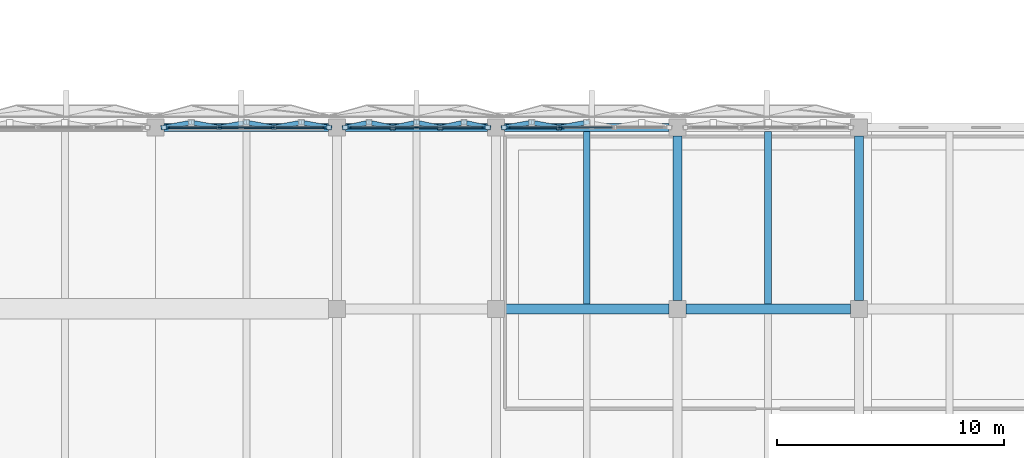
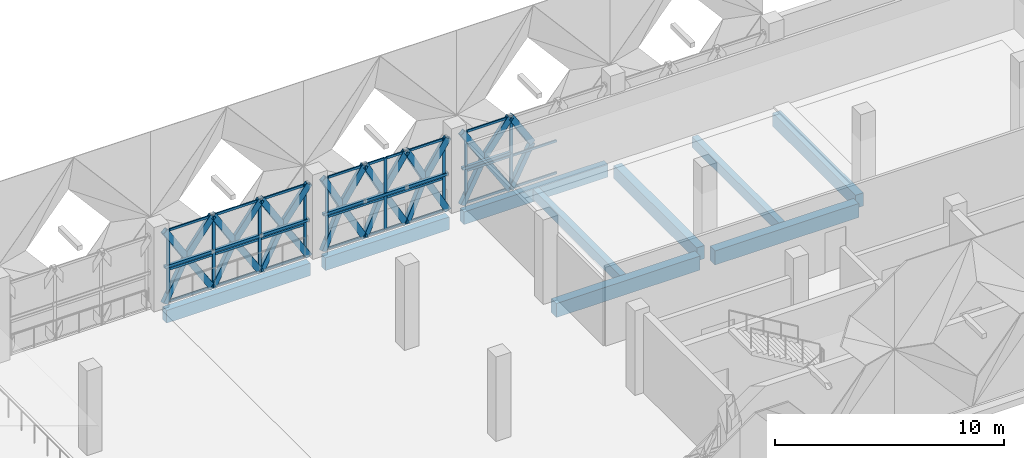
# One storey, part 15 of 53: 66 members, 9 beams, 3 elements without a shape of their own.
"""IFC4 building model written with IfcOpenShell, lengths in metres."""

from ifc_helpers import new_model, si_unit, direction, frame, origin, origin_2d, place, context, subcontext, project, spatial, rectangle, hollow_rectangle, extrude, material, layer, layer_set, material_profile, profile_set, type_object, element, aggregate, save


model = new_model("IFC4")

# Units and contexts
model_context = context("Model", 3, precision=1e-05, world=origin(), true_north=direction((0.0, 1.0)))
body_context = subcontext(model_context, "Body", "Model", "MODEL_VIEW")
ifc_project = project(units=[si_unit("LENGTHUNIT", "METRE"), si_unit("AREAUNIT", "SQUARE_METRE"), si_unit("VOLUMEUNIT", "CUBIC_METRE"), si_unit("PLANEANGLEUNIT", "RADIAN"), si_unit("MASSUNIT", "GRAM", prefix="KILO")], contexts=[model_context])

# Site, building, storey
site_placement = place(None, origin())
site = spatial("IfcSite", under=ifc_project, at=site_placement, CompositionType="ELEMENT")
building_placement = place(site_placement, origin())
building = spatial("IfcBuilding", under=site, at=building_placement, Name="Qorikala Patio Media Centre", CompositionType="ELEMENT")
storey_placement = place(building_placement, frame((0.0, 0.0, 5.39990234375)))
storey = spatial("IfcBuildingStorey", under=building, at=storey_placement, Name="L01", CompositionType="ELEMENT", Elevation=5.39990234375)

# Beams
ifc_material_1 = material(Name="Concrete C35/45", Category="concrete")
ifc_material_profile_1 = material_profile(ifc_material_1, rectangle(XDim=0.39990234375, YDim=0.699951171875, at=origin_2d()), Name="RC 400x700")
ifc_profile_set_1 = profile_set([ifc_material_profile_1], Name="Concrete C35/45")
beam_type_1 = type_object("IfcBeamType", Name="BM-G400X700", PredefinedType="BEAM", material=ifc_profile_set_1)
for number, where, z_axis, x_axis, name in (
    (1, (90.0, 19.375, -0.64990234375), (0.0, 1.0, 0.0), (-1.0, 0.0, 0.0), "L01 Grid X=90 Beam 0634"),
    (2, (98.0, 19.375, -0.64990234375), (0.0, 1.0, 0.0), (-1.0, 0.0, 0.0), "L01 Grid X=98 Beam 0637"),
):
    element("IfcBeam", number, at=place(storey_placement, frame(where, z_axis=z_axis, x_axis=x_axis)), inside=storey, type_object=beam_type_1, Name=name, PredefinedType="BEAM", context=body_context, shape_type="SweptSolid", body=[
        extrude(rectangle(XDim=0.39990234375, YDim=0.699951171875, at=origin_2d()), origin(), (0.0, 0.0, 1.0), 7.25),
    ])
ifc_material_profile_2 = material_profile(ifc_material_1, rectangle(XDim=0.449951171875, YDim=0.75, at=origin_2d()), Name="RC 450x750")
ifc_profile_set_2 = profile_set([ifc_material_profile_2], Name="Concrete C35/45")
beam_type_2 = type_object("IfcBeamType", Name="BM-G450X750", PredefinedType="BEAM", material=ifc_profile_set_2)
for number, where, z_axis, x_axis, name in (
    (3, (82.375, 19.0, -0.6748046875), (1.0, 0.0, 0.0), (0.0, 1.0, 0.0), "L01 Grid 19 Beam 0446"),
    (4, (90.375, 19.0, -0.6748046875), (1.0, 0.0, 0.0), (0.0, 1.0, 0.0), "L01 Grid 19 Beam 0447"),
):
    element("IfcBeam", number, at=place(storey_placement, frame(where, z_axis=z_axis, x_axis=x_axis)), inside=storey, type_object=beam_type_2, Name=name, PredefinedType="BEAM", context=body_context, shape_type="SweptSolid", body=[
        extrude(rectangle(XDim=0.449951171875, YDim=0.75, at=origin_2d()), origin(), (0.0, 0.0, 1.0), 7.25),
    ])

# Members
ifc_material_2 = material(Name="Golden Bronze Coated Steel S355", Category="steel")
ifc_material_profile_3 = material_profile(ifc_material_2, hollow_rectangle(XDim=0.139892578125, YDim=0.139892578125, WallThickness=0.006103515625, at=origin_2d()), Name="HSS140X140X6")
ifc_profile_set_3 = profile_set([ifc_material_profile_3], Name="Golden Bronze Coated Steel S355")
member_type_1 = type_object("IfcMemberType", Name="BRACE-DIA140", PredefinedType="BRACE", material=ifc_profile_set_3)
member_1_placement = place(storey_placement, frame((67.360107421875, 27.0, 1.925048828125), z_axis=(1.0, 0.0, 0.0), x_axis=(0.0, 1.0, 0.0)))
element("IfcMember", 5, at=member_1_placement, inside=storey, type_object=member_type_1, Name="L01 Diamond Fold Tie 007", PredefinedType="BRACE", context=body_context, shape_type="SweptSolid", body=[
    extrude(hollow_rectangle(XDim=0.139892578125, YDim=0.139892578125, WallThickness=0.006103515625, at=origin_2d()), origin(), (0.0, 0.0, 1.0), 2.426513671875),
])
member_2_placement = place(storey_placement, frame((69.78662109375, 27.0, 1.925048828125), z_axis=(1.0, 0.0, 0.0), x_axis=(0.0, 1.0, 0.0)))
element("IfcMember", 6, at=member_2_placement, inside=storey, type_object=member_type_1, Name="L01 Diamond Fold Tie 008", PredefinedType="BRACE", context=body_context, shape_type="SweptSolid", body=[
    extrude(hollow_rectangle(XDim=0.139892578125, YDim=0.139892578125, WallThickness=0.006103515625, at=origin_2d()), origin(), (0.0, 0.0, 1.0), 2.4267578125),
])
member_3_placement = place(storey_placement, frame((72.21337890625, 27.0, 1.925048828125), z_axis=(1.0, 0.0, 0.0), x_axis=(0.0, 1.0, 0.0)))
element("IfcMember", 7, at=member_3_placement, inside=storey, type_object=member_type_1, Name="L01 Diamond Fold Tie 009", PredefinedType="BRACE", context=body_context, shape_type="SweptSolid", body=[
    extrude(hollow_rectangle(XDim=0.139892578125, YDim=0.139892578125, WallThickness=0.006103515625, at=origin_2d()), origin(), (0.0, 0.0, 1.0), 2.426513671875),
])
for number, where, z_axis, x_axis, name in (
    (8, (75.360107421875, 27.0, 1.925048828125), (1.0, 0.0, 0.0), (0.0, 1.0, 0.0), "L01 Diamond Fold Tie 010"),
    (9, (77.453369140625, 27.0, 1.925048828125), (1.0, 0.0, 0.0), (0.0, 1.0, 0.0), "L01 Diamond Fold Tie 011"),
    (10, (79.546630859375, 27.0, 1.925048828125), (1.0, 0.0, 0.0), (0.0, 1.0, 0.0), "L01 Diamond Fold Tie 012"),
):
    element("IfcMember", number, at=place(storey_placement, frame(where, z_axis=z_axis, x_axis=x_axis)), inside=storey, type_object=member_type_1, Name=name, PredefinedType="BRACE", context=body_context, shape_type="SweptSolid", body=[
        extrude(hollow_rectangle(XDim=0.139892578125, YDim=0.139892578125, WallThickness=0.006103515625, at=origin_2d()), origin(), (0.0, 0.0, 1.0), 2.09326171875),
    ])
member_4_placement = place(storey_placement, frame((82.360107421875, 27.0, 1.925048828125), z_axis=(1.0, 0.0, 0.0), x_axis=(0.0, 1.0, 0.0)))
element("IfcMember", 11, at=member_4_placement, inside=storey, type_object=member_type_1, Name="L01 Diamond Fold Tie 013", PredefinedType="BRACE", context=body_context, shape_type="SweptSolid", body=[
    extrude(hollow_rectangle(XDim=0.139892578125, YDim=0.139892578125, WallThickness=0.006103515625, at=origin_2d()), origin(), (0.0, 0.0, 1.0), 2.426513671875),
])

# Curtain wall, members
ifc_material_3 = material(Name="Golden Bronze Anodised Aluminium and Low-E Glass", Category="aluminium")
ifc_layer_1 = layer(ifc_material_3, 0.159912109375)
ifc_layer_set_1 = layer_set([ifc_layer_1], Name="Golden Bronze Anodised Aluminium and Low-E Glass")
curtain_wall_type_1 = type_object("IfcCurtainWallType", Name="CW-DIA-696X385", PredefinedType="USERDEFINED", material=ifc_layer_set_1)
curtain_wall_1_placement = place(storey_placement, origin())
curtain_wall_1 = element("IfcCurtainWall", 12, at=curtain_wall_1_placement, inside=storey, type_object=curtain_wall_type_1, Name="L01 Courtyard Curtain Wall 031", ObjectType="COURTYARD CURTAIN WALL", PredefinedType="USERDEFINED")
ifc_material_4 = material(Name="Golden Bronze Anodised Aluminium", Category="aluminium")
ifc_material_profile_4 = material_profile(ifc_material_4, rectangle(XDim=0.06494140625, YDim=0.14990234375, at=origin_2d()), Name="ALU MULLION 65x150")
ifc_profile_set_4 = profile_set([ifc_material_profile_4], Name="Golden Bronze Anodised Aluminium")
member_type_2 = type_object("IfcMemberType", Name="CWM-65X150", PredefinedType="MULLION", material=ifc_profile_set_4)
member_5_placement = place(storey_placement, frame((67.552490234375, 27.0, 0.0), z_axis=(0.0, 0.0, 1.0), x_axis=(0.0, 1.0, 0.0)))
member_5 = element("IfcMember", 13, at=member_5_placement, type_object=member_type_2, Name="CWD696385 mullion 1", PredefinedType="MULLION", context=body_context, shape_type="SweptSolid", body=[
    extrude(rectangle(XDim=0.06494140625, YDim=0.14990234375, at=origin_2d()), origin(), (0.0, 0.0, 1.0), 3.85009765625),
])
member_6_placement = place(storey_placement, frame((69.840087890625, 27.0, 0.0), z_axis=(0.0, 0.0, 1.0), x_axis=(0.0, 1.0, 0.0)))
member_6 = element("IfcMember", 14, at=member_6_placement, type_object=member_type_2, Name="CWD696385 mullion 2", PredefinedType="MULLION", context=body_context, shape_type="SweptSolid", body=[
    extrude(rectangle(XDim=0.06494140625, YDim=0.14990234375, at=origin_2d()), origin(), (0.0, 0.0, 1.0), 3.85009765625),
])
member_7_placement = place(storey_placement, frame((72.159912109375, 27.0, 0.0), z_axis=(0.0, 0.0, 1.0), x_axis=(0.0, 1.0, 0.0)))
member_7 = element("IfcMember", 15, at=member_7_placement, type_object=member_type_2, Name="CWD696385 mullion 3", PredefinedType="MULLION", context=body_context, shape_type="SweptSolid", body=[
    extrude(rectangle(XDim=0.06494140625, YDim=0.14990234375, at=origin_2d()), origin(), (0.0, 0.0, 1.0), 3.85009765625),
])
member_8_placement = place(storey_placement, frame((74.447509765625, 27.0, 0.0), z_axis=(0.0, 0.0, 1.0), x_axis=(0.0, 1.0, 0.0)))
member_8 = element("IfcMember", 16, at=member_8_placement, type_object=member_type_2, Name="CWD696385 mullion 4", PredefinedType="MULLION", context=body_context, shape_type="SweptSolid", body=[
    extrude(rectangle(XDim=0.06494140625, YDim=0.14990234375, at=origin_2d()), origin(), (0.0, 0.0, 1.0), 3.85009765625),
])

ifc_layer_2 = layer(ifc_material_3, 0.159912109375)
ifc_layer_set_2 = layer_set([ifc_layer_2], Name="Golden Bronze Anodised Aluminium and Low-E Glass")
curtain_wall_type_2 = type_object("IfcCurtainWallType", Name="CW-DIA-596X385", PredefinedType="USERDEFINED", material=ifc_layer_set_2)
curtain_wall_2_placement = place(storey_placement, origin())
curtain_wall_2 = element("IfcCurtainWall", 17, at=curtain_wall_2_placement, inside=storey, type_object=curtain_wall_type_2, Name="L01 Courtyard Curtain Wall 032", ObjectType="COURTYARD CURTAIN WALL", PredefinedType="USERDEFINED")
member_9_placement = place(storey_placement, frame((75.552490234375, 27.0, 0.0), z_axis=(0.0, 0.0, 1.0), x_axis=(0.0, 1.0, 0.0)))
member_9 = element("IfcMember", 18, at=member_9_placement, type_object=member_type_2, Name="CWD596385 mullion 1", PredefinedType="MULLION", context=body_context, shape_type="SweptSolid", body=[
    extrude(rectangle(XDim=0.06494140625, YDim=0.14990234375, at=origin_2d()), origin(), (0.0, 0.0, 1.0), 3.85009765625),
])
member_10_placement = place(storey_placement, frame((78.5, 27.0, 0.0), z_axis=(0.0, 0.0, 1.0), x_axis=(0.0, 1.0, 0.0)))
member_10 = element("IfcMember", 19, at=member_10_placement, type_object=member_type_2, Name="CWD596385 mullion 2", PredefinedType="MULLION", context=body_context, shape_type="SweptSolid", body=[
    extrude(rectangle(XDim=0.06494140625, YDim=0.14990234375, at=origin_2d()), origin(), (0.0, 0.0, 1.0), 3.85009765625),
])
member_11_placement = place(storey_placement, frame((81.447509765625, 27.0, 0.0), z_axis=(0.0, 0.0, 1.0), x_axis=(0.0, 1.0, 0.0)))
member_11 = element("IfcMember", 20, at=member_11_placement, type_object=member_type_2, Name="CWD596385 mullion 3", PredefinedType="MULLION", context=body_context, shape_type="SweptSolid", body=[
    extrude(rectangle(XDim=0.06494140625, YDim=0.14990234375, at=origin_2d()), origin(), (0.0, 0.0, 1.0), 3.85009765625),
])

curtain_wall_3_placement = place(storey_placement, origin())
curtain_wall_3 = element("IfcCurtainWall", 21, at=curtain_wall_3_placement, inside=storey, type_object=curtain_wall_type_1, Name="L01 Courtyard Curtain Wall 033", ObjectType="COURTYARD CURTAIN WALL", PredefinedType="USERDEFINED")
member_12_placement = place(storey_placement, frame((82.552490234375, 27.0, 0.0), z_axis=(0.0, 0.0, 1.0), x_axis=(0.0, 1.0, 0.0)))
member_12 = element("IfcMember", 22, at=member_12_placement, type_object=member_type_2, Name="CWD696385 mullion 1", PredefinedType="MULLION", context=body_context, shape_type="SweptSolid", body=[
    extrude(rectangle(XDim=0.06494140625, YDim=0.14990234375, at=origin_2d()), origin(), (0.0, 0.0, 1.0), 3.85009765625),
])
member_13_placement = place(storey_placement, frame((84.840087890625, 27.0, 0.0), z_axis=(0.0, 0.0, 1.0), x_axis=(0.0, 1.0, 0.0)))
member_13 = element("IfcMember", 23, at=member_13_placement, type_object=member_type_2, Name="CWD696385 mullion 2", PredefinedType="MULLION", context=body_context, shape_type="SweptSolid", body=[
    extrude(rectangle(XDim=0.06494140625, YDim=0.14990234375, at=origin_2d()), origin(), (0.0, 0.0, 1.0), 3.85009765625),
])

# Member
ifc_material_profile_5 = material_profile(ifc_material_4, rectangle(XDim=0.06494140625, YDim=0.1201171875, at=origin_2d()), Name="ALU TRANSOM 65x120")
ifc_profile_set_5 = profile_set([ifc_material_profile_5], Name="Golden Bronze Anodised Aluminium")
member_type_3 = type_object("IfcMemberType", Name="CWT-65X120", PredefinedType="USERDEFINED", material=ifc_profile_set_5)
member_14_placement = place(storey_placement, frame((67.5849609375, 27.0, 0.03271484375), z_axis=(1.0, 0.0, 0.0), x_axis=(0.0, 1.0, 0.0)))
member_14 = element("IfcMember", 24, at=member_14_placement, type_object=member_type_3, Name="CWD696385 transom 1.1", ObjectType="TRANSOM", PredefinedType="USERDEFINED", context=body_context, shape_type="SweptSolid", body=[
    extrude(rectangle(XDim=0.06494140625, YDim=0.1201171875, at=origin_2d()), origin(), (0.0, 0.0, 1.0), 2.22265625),
])

member_15_placement = place(storey_placement, frame((67.5849609375, 27.0, 1.732666015625), z_axis=(1.0, 0.0, 0.0), x_axis=(0.0, 1.0, 0.0)))
member_15 = element("IfcMember", 25, at=member_15_placement, type_object=member_type_3, Name="CWD696385 transom 1.2", ObjectType="TRANSOM", PredefinedType="USERDEFINED", context=body_context, shape_type="SweptSolid", body=[
    extrude(rectangle(XDim=0.06494140625, YDim=0.1201171875, at=origin_2d()), origin(), (0.0, 0.0, 1.0), 2.22265625),
])

member_16_placement = place(storey_placement, frame((67.5849609375, 27.0, 3.817626953125), z_axis=(1.0, 0.0, 0.0), x_axis=(0.0, 1.0, 0.0)))
member_16 = element("IfcMember", 26, at=member_16_placement, type_object=member_type_3, Name="CWD696385 transom 1.3", ObjectType="TRANSOM", PredefinedType="USERDEFINED", context=body_context, shape_type="SweptSolid", body=[
    extrude(rectangle(XDim=0.06494140625, YDim=0.1201171875, at=origin_2d()), origin(), (0.0, 0.0, 1.0), 2.22265625),
])

member_17_placement = place(storey_placement, frame((69.87255859375, 27.0, 0.03271484375), z_axis=(1.0, 0.0, 0.0), x_axis=(0.0, 1.0, 0.0)))
member_17 = element("IfcMember", 27, at=member_17_placement, type_object=member_type_3, Name="CWD696385 transom 2.1", ObjectType="TRANSOM", PredefinedType="USERDEFINED", context=body_context, shape_type="SweptSolid", body=[
    extrude(rectangle(XDim=0.06494140625, YDim=0.1201171875, at=origin_2d()), origin(), (0.0, 0.0, 1.0), 2.2548828125),
])

member_18_placement = place(storey_placement, frame((69.87255859375, 27.0, 1.732666015625), z_axis=(1.0, 0.0, 0.0), x_axis=(0.0, 1.0, 0.0)))
member_18 = element("IfcMember", 28, at=member_18_placement, type_object=member_type_3, Name="CWD696385 transom 2.2", ObjectType="TRANSOM", PredefinedType="USERDEFINED", context=body_context, shape_type="SweptSolid", body=[
    extrude(rectangle(XDim=0.06494140625, YDim=0.1201171875, at=origin_2d()), origin(), (0.0, 0.0, 1.0), 2.2548828125),
])

member_19_placement = place(storey_placement, frame((69.87255859375, 27.0, 3.817626953125), z_axis=(1.0, 0.0, 0.0), x_axis=(0.0, 1.0, 0.0)))
member_19 = element("IfcMember", 29, at=member_19_placement, type_object=member_type_3, Name="CWD696385 transom 2.3", ObjectType="TRANSOM", PredefinedType="USERDEFINED", context=body_context, shape_type="SweptSolid", body=[
    extrude(rectangle(XDim=0.06494140625, YDim=0.1201171875, at=origin_2d()), origin(), (0.0, 0.0, 1.0), 2.2548828125),
])

member_20_placement = place(storey_placement, frame((72.1923828125, 27.0, 0.03271484375), z_axis=(1.0, 0.0, 0.0), x_axis=(0.0, 1.0, 0.0)))
member_20 = element("IfcMember", 30, at=member_20_placement, type_object=member_type_3, Name="CWD696385 transom 3.1", ObjectType="TRANSOM", PredefinedType="USERDEFINED", context=body_context, shape_type="SweptSolid", body=[
    extrude(rectangle(XDim=0.06494140625, YDim=0.1201171875, at=origin_2d()), origin(), (0.0, 0.0, 1.0), 2.22265625),
])

member_21_placement = place(storey_placement, frame((72.1923828125, 27.0, 1.732666015625), z_axis=(1.0, 0.0, 0.0), x_axis=(0.0, 1.0, 0.0)))
member_21 = element("IfcMember", 31, at=member_21_placement, type_object=member_type_3, Name="CWD696385 transom 3.2", ObjectType="TRANSOM", PredefinedType="USERDEFINED", context=body_context, shape_type="SweptSolid", body=[
    extrude(rectangle(XDim=0.06494140625, YDim=0.1201171875, at=origin_2d()), origin(), (0.0, 0.0, 1.0), 2.22265625),
])

member_22_placement = place(storey_placement, frame((72.1923828125, 27.0, 3.817626953125), z_axis=(1.0, 0.0, 0.0), x_axis=(0.0, 1.0, 0.0)))
member_22 = element("IfcMember", 32, at=member_22_placement, type_object=member_type_3, Name="CWD696385 transom 3.3", ObjectType="TRANSOM", PredefinedType="USERDEFINED", context=body_context, shape_type="SweptSolid", body=[
    extrude(rectangle(XDim=0.06494140625, YDim=0.1201171875, at=origin_2d()), origin(), (0.0, 0.0, 1.0), 2.22265625),
])

aggregate(curtain_wall_1, [member_5, member_6, member_7, member_8, member_14, member_15, member_16, member_17, member_18, member_19, member_20, member_21, member_22])

member_23_placement = place(storey_placement, frame((75.5849609375, 27.0, 0.03271484375), z_axis=(1.0, 0.0, 0.0), x_axis=(0.0, 1.0, 0.0)))
member_23 = element("IfcMember", 33, at=member_23_placement, type_object=member_type_3, Name="CWD596385 transom 1.1", ObjectType="TRANSOM", PredefinedType="USERDEFINED", context=body_context, shape_type="SweptSolid", body=[
    extrude(rectangle(XDim=0.06494140625, YDim=0.1201171875, at=origin_2d()), origin(), (0.0, 0.0, 1.0), 2.882568359375),
])

member_24_placement = place(storey_placement, frame((75.5849609375, 27.0, 1.732666015625), z_axis=(1.0, 0.0, 0.0), x_axis=(0.0, 1.0, 0.0)))
member_24 = element("IfcMember", 34, at=member_24_placement, type_object=member_type_3, Name="CWD596385 transom 1.2", ObjectType="TRANSOM", PredefinedType="USERDEFINED", context=body_context, shape_type="SweptSolid", body=[
    extrude(rectangle(XDim=0.06494140625, YDim=0.1201171875, at=origin_2d()), origin(), (0.0, 0.0, 1.0), 2.882568359375),
])

member_25_placement = place(storey_placement, frame((75.5849609375, 27.0, 3.817626953125), z_axis=(1.0, 0.0, 0.0), x_axis=(0.0, 1.0, 0.0)))
member_25 = element("IfcMember", 35, at=member_25_placement, type_object=member_type_3, Name="CWD596385 transom 1.3", ObjectType="TRANSOM", PredefinedType="USERDEFINED", context=body_context, shape_type="SweptSolid", body=[
    extrude(rectangle(XDim=0.06494140625, YDim=0.1201171875, at=origin_2d()), origin(), (0.0, 0.0, 1.0), 2.882568359375),
])

member_26_placement = place(storey_placement, frame((78.532470703125, 27.0, 0.03271484375), z_axis=(1.0, 0.0, 0.0), x_axis=(0.0, 1.0, 0.0)))
member_26 = element("IfcMember", 36, at=member_26_placement, type_object=member_type_3, Name="CWD596385 transom 2.1", ObjectType="TRANSOM", PredefinedType="USERDEFINED", context=body_context, shape_type="SweptSolid", body=[
    extrude(rectangle(XDim=0.06494140625, YDim=0.1201171875, at=origin_2d()), origin(), (0.0, 0.0, 1.0), 2.882568359375),
])

member_27_placement = place(storey_placement, frame((78.532470703125, 27.0, 1.732666015625), z_axis=(1.0, 0.0, 0.0), x_axis=(0.0, 1.0, 0.0)))
member_27 = element("IfcMember", 37, at=member_27_placement, type_object=member_type_3, Name="CWD596385 transom 2.2", ObjectType="TRANSOM", PredefinedType="USERDEFINED", context=body_context, shape_type="SweptSolid", body=[
    extrude(rectangle(XDim=0.06494140625, YDim=0.1201171875, at=origin_2d()), origin(), (0.0, 0.0, 1.0), 2.882568359375),
])

member_28_placement = place(storey_placement, frame((78.532470703125, 27.0, 3.817626953125), z_axis=(1.0, 0.0, 0.0), x_axis=(0.0, 1.0, 0.0)))
member_28 = element("IfcMember", 38, at=member_28_placement, type_object=member_type_3, Name="CWD596385 transom 2.3", ObjectType="TRANSOM", PredefinedType="USERDEFINED", context=body_context, shape_type="SweptSolid", body=[
    extrude(rectangle(XDim=0.06494140625, YDim=0.1201171875, at=origin_2d()), origin(), (0.0, 0.0, 1.0), 2.882568359375),
])

aggregate(curtain_wall_2, [member_9, member_10, member_11, member_23, member_24, member_25, member_26, member_27, member_28])

member_29_placement = place(storey_placement, frame((82.5849609375, 27.0, 0.03271484375), z_axis=(1.0, 0.0, 0.0), x_axis=(0.0, 1.0, 0.0)))
member_29 = element("IfcMember", 39, at=member_29_placement, type_object=member_type_3, Name="CWD696385 transom 1.1", ObjectType="TRANSOM", PredefinedType="USERDEFINED", context=body_context, shape_type="SweptSolid", body=[
    extrude(rectangle(XDim=0.06494140625, YDim=0.1201171875, at=origin_2d()), origin(), (0.0, 0.0, 1.0), 2.22265625),
])

member_30_placement = place(storey_placement, frame((82.5849609375, 27.0, 1.732666015625), z_axis=(1.0, 0.0, 0.0), x_axis=(0.0, 1.0, 0.0)))
member_30 = element("IfcMember", 40, at=member_30_placement, type_object=member_type_3, Name="CWD696385 transom 1.2", ObjectType="TRANSOM", PredefinedType="USERDEFINED", context=body_context, shape_type="SweptSolid", body=[
    extrude(rectangle(XDim=0.06494140625, YDim=0.1201171875, at=origin_2d()), origin(), (0.0, 0.0, 1.0), 2.22265625),
])

member_31_placement = place(storey_placement, frame((82.5849609375, 27.0, 3.817626953125), z_axis=(1.0, 0.0, 0.0), x_axis=(0.0, 1.0, 0.0)))
member_31 = element("IfcMember", 41, at=member_31_placement, type_object=member_type_3, Name="CWD696385 transom 1.3", ObjectType="TRANSOM", PredefinedType="USERDEFINED", context=body_context, shape_type="SweptSolid", body=[
    extrude(rectangle(XDim=0.06494140625, YDim=0.1201171875, at=origin_2d()), origin(), (0.0, 0.0, 1.0), 2.22265625),
])

member_32_placement = place(storey_placement, frame((84.87255859375, 27.0, 0.03271484375), z_axis=(1.0, 0.0, 0.0), x_axis=(0.0, 1.0, 0.0)))
member_32 = element("IfcMember", 42, at=member_32_placement, type_object=member_type_3, Name="CWD696385 transom 2.1", ObjectType="TRANSOM", PredefinedType="USERDEFINED", context=body_context, shape_type="SweptSolid", body=[
    extrude(rectangle(XDim=0.06494140625, YDim=0.1201171875, at=origin_2d()), origin(), (0.0, 0.0, 1.0), 2.2548828125),
])

member_33_placement = place(storey_placement, frame((84.87255859375, 27.0, 1.732666015625), z_axis=(1.0, 0.0, 0.0), x_axis=(0.0, 1.0, 0.0)))
member_33 = element("IfcMember", 43, at=member_33_placement, type_object=member_type_3, Name="CWD696385 transom 2.2", ObjectType="TRANSOM", PredefinedType="USERDEFINED", context=body_context, shape_type="SweptSolid", body=[
    extrude(rectangle(XDim=0.06494140625, YDim=0.1201171875, at=origin_2d()), origin(), (0.0, 0.0, 1.0), 2.2548828125),
])

aggregate(curtain_wall_3, [member_12, member_13, member_29, member_30, member_31, member_32, member_33])

# Beams
ifc_material_profile_6 = material_profile(ifc_material_1, rectangle(XDim=0.300048828125, YDim=0.550048828125, at=origin_2d()), Name="RC 300x550")
ifc_profile_set_6 = profile_set([ifc_material_profile_6], Name="Concrete C35/45")
beam_type_3 = type_object("IfcBeamType", Name="JS-300X550", PredefinedType="JOIST", material=ifc_profile_set_6)
for number, where, z_axis, x_axis, name in (
    (44, (86.0, 19.22509765625, -0.574951171875), (0.0, 1.0, 0.0), (-1.0, 0.0, 0.0), "L01 Secondary Joist 0730"),
    (45, (94.0, 19.22509765625, -0.574951171875), (0.0, 1.0, 0.0), (-1.0, 0.0, 0.0), "L01 Secondary Joist 0732"),
):
    element("IfcBeam", number, at=place(storey_placement, frame(where, z_axis=z_axis, x_axis=x_axis)), inside=storey, type_object=beam_type_3, Name=name, PredefinedType="JOIST", context=body_context, shape_type="SweptSolid", body=[
        extrude(rectangle(XDim=0.300048828125, YDim=0.550048828125, at=origin_2d()), origin(), (0.0, 0.0, 1.0), 7.599853515625),
    ])
ifc_material_profile_7 = material_profile(ifc_material_1, rectangle(XDim=0.35009765625, YDim=0.679931640625, at=origin_2d()), Name="RC 350x680")
ifc_profile_set_7 = profile_set([ifc_material_profile_7], Name="Concrete C35/45")
beam_type_4 = type_object("IfcBeamType", Name="SP-350X680", PredefinedType="SPANDREL", material=ifc_profile_set_7)
beam_1_placement = place(storey_placement, frame((67.375, 27.0, -0.639892578125), z_axis=(1.0, 0.0, 0.0), x_axis=(0.0, 1.0, 0.0)))
element("IfcBeam", 46, at=beam_1_placement, inside=storey, type_object=beam_type_4, Name="L01 Grid 27 Beam 0465", PredefinedType="SPANDREL", context=body_context, shape_type="SweptSolid", body=[
    extrude(rectangle(XDim=0.35009765625, YDim=0.679931640625, at=origin_2d()), origin(), (0.0, 0.0, 1.0), 7.25),
])
beam_2_placement = place(storey_placement, frame((75.375, 27.0, -0.639892578125), z_axis=(1.0, 0.0, 0.0), x_axis=(0.0, 1.0, 0.0)))
element("IfcBeam", 47, at=beam_2_placement, inside=storey, type_object=beam_type_4, Name="L01 Grid 27 Beam 0466", PredefinedType="SPANDREL", context=body_context, shape_type="SweptSolid", body=[
    extrude(rectangle(XDim=0.35009765625, YDim=0.679931640625, at=origin_2d()), origin(), (0.0, 0.0, 1.0), 6.25),
])
beam_3_placement = place(storey_placement, frame((82.375, 27.0, -0.639892578125), z_axis=(1.0, 0.0, 0.0), x_axis=(0.0, 1.0, 0.0)))
element("IfcBeam", 48, at=beam_3_placement, inside=storey, type_object=beam_type_4, Name="L01 Grid 27 Beam 0467", PredefinedType="SPANDREL", context=body_context, shape_type="SweptSolid", body=[
    extrude(rectangle(XDim=0.35009765625, YDim=0.679931640625, at=origin_2d()), origin(), (0.0, 0.0, 1.0), 7.25),
])

# Members
ifc_material_profile_8 = material_profile(ifc_material_2, hollow_rectangle(XDim=0.199951171875, YDim=0.300048828125, WallThickness=0.011962890625, at=origin_2d()), Name="HSS300X200X12")
ifc_profile_set_8 = profile_set([ifc_material_profile_8], Name="Golden Bronze Coated Steel S355")
member_type_4 = type_object("IfcMemberType", Name="STRUT-DIA300", PredefinedType="STRUT", material=ifc_profile_set_8)
member_34_placement = place(storey_placement, frame((67.360107421875, 27.0, 0.0), z_axis=(0.530691378365, 0.095906793675, 0.842121456713), x_axis=(-0.17783968734, 0.984059472596, 0.0)))
element("IfcMember", 49, at=member_34_placement, inside=storey, type_object=member_type_4, Name="L01 Diamond Foyer Fold Strut 007-DL1", PredefinedType="STRUT", context=body_context, shape_type="SweptSolid", body=[
    extrude(hollow_rectangle(XDim=0.199951171875, YDim=0.300048828125, WallThickness=0.011962890625, at=origin_2d()), origin(), (0.0, 0.0, 1.0), 2.285888671875),
])
member_35_placement = place(storey_placement, frame((69.78662109375, 27.0, 0.0), z_axis=(-0.530768093717, 0.095901357778, 0.842073726148), x_axis=(-0.177805036072, -0.98406573416, 0.0)))
element("IfcMember", 50, at=member_35_placement, inside=storey, type_object=member_type_4, Name="L01 Diamond Foyer Fold Strut 007-DL2", PredefinedType="STRUT", context=body_context, shape_type="SweptSolid", body=[
    extrude(hollow_rectangle(XDim=0.199951171875, YDim=0.300048828125, WallThickness=0.011962890625, at=origin_2d()), origin(), (0.0, 0.0, 1.0), 2.2861328125),
])
member_36_placement = place(storey_placement, frame((68.5732421875, 27.21923828125, 1.925048828125), z_axis=(-0.530691378365, -0.095906793675, 0.842121456713), x_axis=(0.17783968734, -0.984059472596, 0.0)))
element("IfcMember", 51, at=member_36_placement, inside=storey, type_object=member_type_4, Name="L01 Diamond Foyer Fold Strut 007-DU1", PredefinedType="STRUT", context=body_context, shape_type="SweptSolid", body=[
    extrude(hollow_rectangle(XDim=0.199951171875, YDim=0.300048828125, WallThickness=0.011962890625, at=origin_2d()), origin(), (0.0, 0.0, 1.0), 2.285888671875),
])
for number, where, z_axis, x_axis, name in (
    (52, (68.5732421875, 27.21923828125, 1.925048828125), (0.530768093717, -0.095901357778, 0.842073726148), (0.177805036072, 0.98406573416, 0.0), "L01 Diamond Foyer Fold Strut 007-DU2"),
    (53, (69.78662109375, 27.0, 0.0), (0.530768093717, 0.095901357778, 0.842073726148), (-0.177805036072, 0.98406573416, 0.0), "L01 Diamond Foyer Fold Strut 008-DL1"),
    (54, (72.21337890625, 27.0, 0.0), (-0.530768093717, 0.095901357778, 0.842073726148), (-0.177805036072, -0.98406573416, 0.0), "L01 Diamond Foyer Fold Strut 008-DL2"),
    (55, (71.0, 27.21923828125, 1.925048828125), (-0.530768093717, -0.095901357778, 0.842073726148), (0.177805036072, -0.98406573416, 0.0), "L01 Diamond Foyer Fold Strut 008-DU1"),
    (56, (71.0, 27.21923828125, 1.925048828125), (0.530768093717, -0.095901357778, 0.842073726148), (0.177805036072, 0.98406573416, 0.0), "L01 Diamond Foyer Fold Strut 008-DU2"),
    (57, (72.21337890625, 27.0, 0.0), (0.530768093717, 0.095901357778, 0.842073726148), (-0.177805036072, 0.98406573416, 0.0), "L01 Diamond Foyer Fold Strut 009-DL1"),
):
    element("IfcMember", number, at=place(storey_placement, frame(where, z_axis=z_axis, x_axis=x_axis)), inside=storey, type_object=member_type_4, Name=name, PredefinedType="STRUT", context=body_context, shape_type="SweptSolid", body=[
        extrude(hollow_rectangle(XDim=0.199951171875, YDim=0.300048828125, WallThickness=0.011962890625, at=origin_2d()), origin(), (0.0, 0.0, 1.0), 2.2861328125),
    ])
member_37_placement = place(storey_placement, frame((74.639892578125, 27.0, 0.0), z_axis=(-0.530691378365, 0.095906793675, 0.842121456713), x_axis=(-0.17783968734, -0.984059472596, 0.0)))
element("IfcMember", 58, at=member_37_placement, inside=storey, type_object=member_type_4, Name="L01 Diamond Foyer Fold Strut 009-DL2", PredefinedType="STRUT", context=body_context, shape_type="SweptSolid", body=[
    extrude(hollow_rectangle(XDim=0.199951171875, YDim=0.300048828125, WallThickness=0.011962890625, at=origin_2d()), origin(), (0.0, 0.0, 1.0), 2.285888671875),
])
member_38_placement = place(storey_placement, frame((73.4267578125, 27.21923828125, 1.925048828125), z_axis=(-0.530768093717, -0.095901357778, 0.842073726148), x_axis=(0.177805036072, -0.98406573416, 0.0)))
element("IfcMember", 59, at=member_38_placement, inside=storey, type_object=member_type_4, Name="L01 Diamond Foyer Fold Strut 009-DU1", PredefinedType="STRUT", context=body_context, shape_type="SweptSolid", body=[
    extrude(hollow_rectangle(XDim=0.199951171875, YDim=0.300048828125, WallThickness=0.011962890625, at=origin_2d()), origin(), (0.0, 0.0, 1.0), 2.2861328125),
])
member_39_placement = place(storey_placement, frame((73.4267578125, 27.21923828125, 1.925048828125), z_axis=(0.530691378365, -0.095906793675, 0.842121456713), x_axis=(0.17783968734, 0.984059472596, 0.0)))
element("IfcMember", 60, at=member_39_placement, inside=storey, type_object=member_type_4, Name="L01 Diamond Foyer Fold Strut 009-DU2", PredefinedType="STRUT", context=body_context, shape_type="SweptSolid", body=[
    extrude(hollow_rectangle(XDim=0.199951171875, YDim=0.300048828125, WallThickness=0.011962890625, at=origin_2d()), origin(), (0.0, 0.0, 1.0), 2.285888671875),
])
for number, where, z_axis, x_axis, name in (
    (61, (75.360107421875, 27.0, 0.0), (0.475284177813, 0.099558010654, 0.87418141872), (-0.205020837962, 0.9787576084, 0.0), "L01 Diamond Foyer Fold Strut 010-DL1"),
    (62, (77.453369140625, 27.0, 0.0), (-0.475284177813, 0.099558010654, 0.87418141872), (-0.205020837962, -0.9787576084, 0.0), "L01 Diamond Foyer Fold Strut 010-DL2"),
    (63, (76.40673828125, 27.21923828125, 1.925048828125), (-0.475284177813, -0.099558010654, 0.87418141872), (0.205020837962, -0.9787576084, 0.0), "L01 Diamond Foyer Fold Strut 010-DU1"),
    (64, (76.40673828125, 27.21923828125, 1.925048828125), (0.475284177813, -0.099558010654, 0.87418141872), (0.205020837962, 0.9787576084, 0.0), "L01 Diamond Foyer Fold Strut 010-DU2"),
    (65, (77.453369140625, 27.0, 0.0), (0.475284177813, 0.099558010654, 0.87418141872), (-0.205020837962, 0.9787576084, 0.0), "L01 Diamond Foyer Fold Strut 011-DL1"),
    (66, (79.546630859375, 27.0, 0.0), (-0.475284177813, 0.099558010654, 0.87418141872), (-0.205020837962, -0.9787576084, 0.0), "L01 Diamond Foyer Fold Strut 011-DL2"),
    (67, (78.5, 27.21923828125, 1.925048828125), (-0.475284177813, -0.099558010654, 0.87418141872), (0.205020837962, -0.9787576084, 0.0), "L01 Diamond Foyer Fold Strut 011-DU1"),
    (68, (78.5, 27.21923828125, 1.925048828125), (0.475284177813, -0.099558010654, 0.87418141872), (0.205020837962, 0.9787576084, 0.0), "L01 Diamond Foyer Fold Strut 011-DU2"),
    (69, (79.546630859375, 27.0, 0.0), (0.475284177813, 0.099558010654, 0.87418141872), (-0.205020837962, 0.9787576084, 0.0), "L01 Diamond Foyer Fold Strut 012-DL1"),
    (70, (81.639892578125, 27.0, 0.0), (-0.475284177813, 0.099558010654, 0.87418141872), (-0.205020837962, -0.9787576084, 0.0), "L01 Diamond Foyer Fold Strut 012-DL2"),
    (71, (80.59326171875, 27.21923828125, 1.925048828125), (-0.475284177813, -0.099558010654, 0.87418141872), (0.205020837962, -0.9787576084, 0.0), "L01 Diamond Foyer Fold Strut 012-DU1"),
    (72, (80.59326171875, 27.21923828125, 1.925048828125), (0.475284177813, -0.099558010654, 0.87418141872), (0.205020837962, 0.9787576084, 0.0), "L01 Diamond Foyer Fold Strut 012-DU2"),
):
    element("IfcMember", number, at=place(storey_placement, frame(where, z_axis=z_axis, x_axis=x_axis)), inside=storey, type_object=member_type_4, Name=name, PredefinedType="STRUT", context=body_context, shape_type="SweptSolid", body=[
        extrude(hollow_rectangle(XDim=0.199951171875, YDim=0.300048828125, WallThickness=0.011962890625, at=origin_2d()), origin(), (0.0, 0.0, 1.0), 2.2021484375),
    ])
member_40_placement = place(storey_placement, frame((82.360107421875, 27.0, 0.0), z_axis=(0.530691378365, 0.095906793675, 0.842121456713), x_axis=(-0.17783968734, 0.984059472596, 0.0)))
element("IfcMember", 73, at=member_40_placement, inside=storey, type_object=member_type_4, Name="L01 Diamond Foyer Fold Strut 013-DL1", PredefinedType="STRUT", context=body_context, shape_type="SweptSolid", body=[
    extrude(hollow_rectangle(XDim=0.199951171875, YDim=0.300048828125, WallThickness=0.011962890625, at=origin_2d()), origin(), (0.0, 0.0, 1.0), 2.285888671875),
])
member_41_placement = place(storey_placement, frame((84.78662109375, 27.0, 0.0), z_axis=(-0.530768093717, 0.095901357778, 0.842073726148), x_axis=(-0.177805036072, -0.98406573416, 0.0)))
element("IfcMember", 74, at=member_41_placement, inside=storey, type_object=member_type_4, Name="L01 Diamond Foyer Fold Strut 013-DL2", PredefinedType="STRUT", context=body_context, shape_type="SweptSolid", body=[
    extrude(hollow_rectangle(XDim=0.199951171875, YDim=0.300048828125, WallThickness=0.011962890625, at=origin_2d()), origin(), (0.0, 0.0, 1.0), 2.2861328125),
])
member_42_placement = place(storey_placement, frame((83.5732421875, 27.21923828125, 1.925048828125), z_axis=(-0.530691378365, -0.095906793675, 0.842121456713), x_axis=(0.17783968734, -0.984059472596, 0.0)))
element("IfcMember", 75, at=member_42_placement, inside=storey, type_object=member_type_4, Name="L01 Diamond Foyer Fold Strut 013-DU1", PredefinedType="STRUT", context=body_context, shape_type="SweptSolid", body=[
    extrude(hollow_rectangle(XDim=0.199951171875, YDim=0.300048828125, WallThickness=0.011962890625, at=origin_2d()), origin(), (0.0, 0.0, 1.0), 2.285888671875),
])
for number, where, z_axis, x_axis, name in (
    (76, (83.5732421875, 27.21923828125, 1.925048828125), (0.530768093717, -0.095901357778, 0.842073726148), (0.177805036072, 0.98406573416, 0.0), "L01 Diamond Foyer Fold Strut 013-DU2"),
    (77, (84.78662109375, 27.0, 0.0), (0.530768093717, 0.095901357778, 0.842073726148), (-0.177805036072, 0.98406573416, 0.0), "L01 Diamond Foyer Fold Strut 014-DL1"),
    (78, (86.0, 27.21923828125, 1.925048828125), (-0.530768093717, -0.095901357778, 0.842073726148), (0.177805036072, -0.98406573416, 0.0), "L01 Diamond Foyer Fold Strut 014-DU1"),
):
    element("IfcMember", number, at=place(storey_placement, frame(where, z_axis=z_axis, x_axis=x_axis)), inside=storey, type_object=member_type_4, Name=name, PredefinedType="STRUT", context=body_context, shape_type="SweptSolid", body=[
        extrude(hollow_rectangle(XDim=0.199951171875, YDim=0.300048828125, WallThickness=0.011962890625, at=origin_2d()), origin(), (0.0, 0.0, 1.0), 2.2861328125),
    ])

save(model, "model.ifc")
